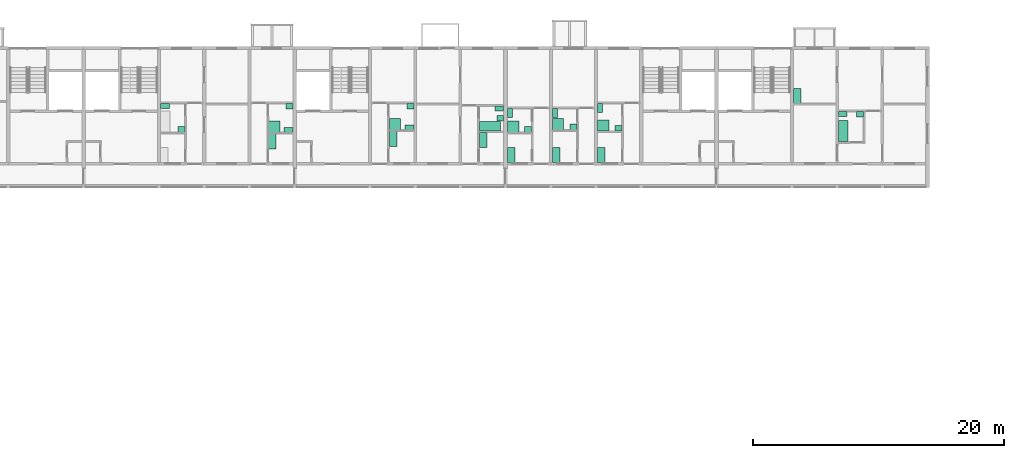
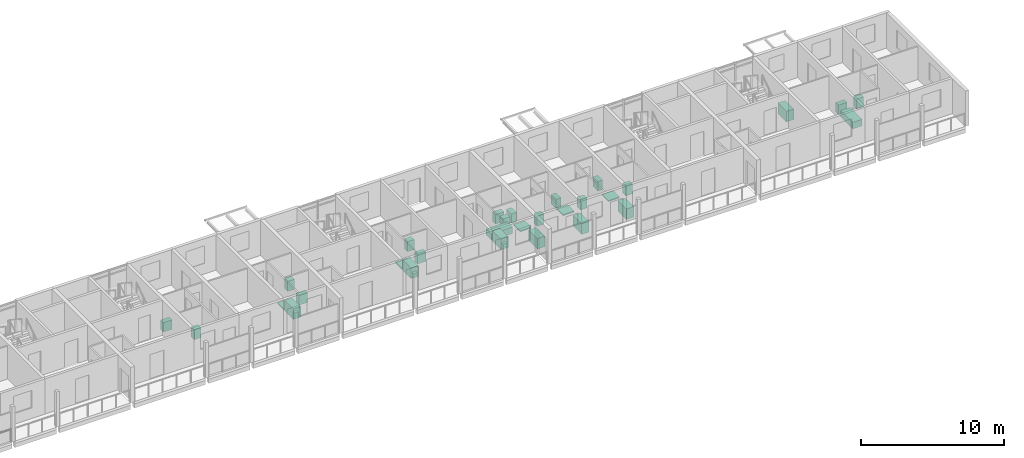
# One storey, part 115 of 115: 30 sanitary terminals.
"""IFC4 building model written with IfcOpenShell, lengths in metres."""

from ifc_helpers import new_model, si_unit, direction, frame, origin, origin_2d, place, context, subcontext, project, spatial, rectangle, extrude, element, save


model = new_model("IFC4")

# Units and contexts
model_context = context("Model", 3, precision=1e-05, world=origin(), true_north=direction((0.0, 1.0)))
body_context = subcontext(model_context, "Body", "Model", "MODEL_VIEW")
ifc_project = project(units=[si_unit("LENGTHUNIT", "METRE"), si_unit("AREAUNIT", "SQUARE_METRE"), si_unit("VOLUMEUNIT", "CUBIC_METRE"), si_unit("PLANEANGLEUNIT", "RADIAN"), si_unit("MASSUNIT", "GRAM", prefix="KILO")], contexts=[model_context])

# Site, building, storey
site_placement = place(None, origin())
site = spatial("IfcSite", under=ifc_project, at=site_placement, CompositionType="ELEMENT")
building_placement = place(site_placement, origin())
building = spatial("IfcBuilding", under=site, at=building_placement, Name="Ridgestep Commons", CompositionType="ELEMENT")
storey_placement = place(building_placement, frame((0.0, 0.0, 6.0)))
storey = spatial("IfcBuildingStorey", under=building, at=storey_placement, Name="L02", CompositionType="ELEMENT", Elevation=6.0)

# Sanitary terminals
sanitary_terminal_1_placement = place(storey_placement, frame((195.5849609375, 70.860107421875, 0.0), z_axis=(0.0, 0.0, 1.0), x_axis=(1.0, 0.0, 0.0)))
element("IfcSanitaryTerminal", 1, at=sanitary_terminal_1_placement, inside=storey, Name="Shower tray C3-02a", PredefinedType="SHOWER", context=body_context, shape_type="SweptSolid", body=[
    extrude(rectangle(XDim=0.89990234375, YDim=0.89990234375, at=origin_2d()), origin(), (0.0, 0.0, 1.0), 0.10009765625),
])
sanitary_terminal_2_placement = place(storey_placement, frame((196.699951171875, 70.610107421875, 0.0), z_axis=(0.0, 0.0, 1.0), x_axis=(1.0, 0.0, 0.0)))
element("IfcSanitaryTerminal", 2, at=sanitary_terminal_2_placement, inside=storey, Name="WC C3-02a", PredefinedType="TOILETPAN", context=body_context, shape_type="SweptSolid", body=[
    extrude(rectangle(XDim=0.699951171875, YDim=0.39990234375, at=origin_2d()), origin(), (0.0, 0.0, 1.0), 0.800048828125),
])
sanitary_terminal_3_placement = place(storey_placement, frame((196.77490234375, 72.47509765625, 0.0), z_axis=(0.0, 0.0, 1.0), x_axis=(1.0, 0.0, 0.0)))
element("IfcSanitaryTerminal", 3, at=sanitary_terminal_3_placement, inside=storey, Name="Basin C3-02a", PredefinedType="WASHHANDBASIN", context=body_context, shape_type="SweptSolid", body=[
    extrude(rectangle(XDim=0.550048828125, YDim=0.449951171875, at=origin_2d()), origin(), (0.0, 0.0, 1.0), 0.85009765625),
])
sanitary_terminal_4_placement = place(storey_placement, frame((195.43505859375, 69.699951171875, 0.0), z_axis=(0.0, 0.0, 1.0), x_axis=(1.0, 0.0, 0.0)))
element("IfcSanitaryTerminal", 4, at=sanitary_terminal_4_placement, inside=storey, Name="Kitchen sink C3-02a", PredefinedType="SINK", context=body_context, shape_type="SweptSolid", body=[
    extrude(rectangle(XDim=0.60009765625, YDim=1.199951171875, at=origin_2d()), origin(), (0.0, 0.0, 1.0), 0.89990234375),
])
sanitary_terminal_5_placement = place(storey_placement, frame((186.875, 72.5, 0.0), z_axis=(0.0, 0.0, 1.0), x_axis=(1.0, 0.0, 0.0)))
element("IfcSanitaryTerminal", 5, at=sanitary_terminal_5_placement, inside=storey, Name="WC C3-02b", PredefinedType="TOILETPAN", context=body_context, shape_type="SweptSolid", body=[
    extrude(rectangle(XDim=0.699951171875, YDim=0.39990234375, at=origin_2d()), origin(), (0.0, 0.0, 1.0), 0.800048828125),
])
sanitary_terminal_6_placement = place(storey_placement, frame((188.18994140625, 70.635009765625, 0.0), z_axis=(0.0, 0.0, 1.0), x_axis=(1.0, 0.0, 0.0)))
element("IfcSanitaryTerminal", 6, at=sanitary_terminal_6_placement, inside=storey, Name="Basin C3-02b", PredefinedType="WASHHANDBASIN", context=body_context, shape_type="SweptSolid", body=[
    extrude(rectangle(XDim=0.550048828125, YDim=0.449951171875, at=origin_2d()), origin(), (0.0, 0.0, 1.0), 0.85009765625),
])
sanitary_terminal_7_placement = place(storey_placement, frame((212.760009765625, 70.885009765625, 0.0), z_axis=(0.0, 0.0, 1.0), x_axis=(1.0, 0.0, 0.0)))
element("IfcSanitaryTerminal", 7, at=sanitary_terminal_7_placement, inside=storey, Name="Bath C4-02a", PredefinedType="BATH", context=body_context, shape_type="SweptSolid", body=[
    extrude(rectangle(XDim=1.699951171875, YDim=0.75, at=origin_2d()), origin(), (0.0, 0.0, 1.0), 0.550048828125),
])
sanitary_terminal_8_placement = place(storey_placement, frame((213.5, 72.300048828125, 0.0), z_axis=(0.0, 0.0, 1.0), x_axis=(1.0, 0.0, 0.0)))
element("IfcSanitaryTerminal", 8, at=sanitary_terminal_8_placement, inside=storey, Name="WC C4-02a", PredefinedType="TOILETPAN", context=body_context, shape_type="SweptSolid", body=[
    extrude(rectangle(XDim=0.699951171875, YDim=0.39990234375, at=origin_2d()), origin(), (0.0, 0.0, 1.0), 0.800048828125),
])
sanitary_terminal_9_placement = place(storey_placement, frame((213.574951171875, 71.534912109375, 0.0), z_axis=(0.0, 0.0, 1.0), x_axis=(1.0, 0.0, 0.0)))
element("IfcSanitaryTerminal", 9, at=sanitary_terminal_9_placement, inside=storey, Name="Basin C4-02a", PredefinedType="WASHHANDBASIN", context=body_context, shape_type="SweptSolid", body=[
    extrude(rectangle(XDim=0.550048828125, YDim=0.449951171875, at=origin_2d()), origin(), (0.0, 0.0, 1.0), 0.85009765625),
])
sanitary_terminal_10_placement = place(storey_placement, frame((212.2099609375, 69.800048828125, 0.0), z_axis=(0.0, 0.0, 1.0), x_axis=(1.0, 0.0, 0.0)))
element("IfcSanitaryTerminal", 10, at=sanitary_terminal_10_placement, inside=storey, Name="Kitchen sink C4-02a", PredefinedType="SINK", context=body_context, shape_type="SweptSolid", body=[
    extrude(rectangle(XDim=0.60009765625, YDim=1.199951171875, at=origin_2d()), origin(), (0.0, 0.0, 1.0), 0.89990234375),
])
sanitary_terminal_11_placement = place(storey_placement, frame((205.18505859375, 71.06005859375, 0.0), z_axis=(0.0, 0.0, 1.0), x_axis=(1.0, 0.0, 0.0)))
element("IfcSanitaryTerminal", 11, at=sanitary_terminal_11_placement, inside=storey, Name="Shower tray C4-02b", PredefinedType="SHOWER", context=body_context, shape_type="SweptSolid", body=[
    extrude(rectangle(XDim=0.89990234375, YDim=0.89990234375, at=origin_2d()), origin(), (0.0, 0.0, 1.0), 0.10009765625),
])
sanitary_terminal_12_placement = place(storey_placement, frame((206.35009765625, 70.81005859375, 0.0), z_axis=(0.0, 0.0, 1.0), x_axis=(1.0, 0.0, 0.0)))
element("IfcSanitaryTerminal", 12, at=sanitary_terminal_12_placement, inside=storey, Name="WC C4-02b", PredefinedType="TOILETPAN", context=body_context, shape_type="SweptSolid", body=[
    extrude(rectangle(XDim=0.699951171875, YDim=0.39990234375, at=origin_2d()), origin(), (0.0, 0.0, 1.0), 0.800048828125),
])
sanitary_terminal_13_placement = place(storey_placement, frame((206.425048828125, 72.47509765625, 0.0), z_axis=(0.0, 0.0, 1.0), x_axis=(1.0, 0.0, 0.0)))
element("IfcSanitaryTerminal", 13, at=sanitary_terminal_13_placement, inside=storey, Name="Basin C4-02b", PredefinedType="WASHHANDBASIN", context=body_context, shape_type="SweptSolid", body=[
    extrude(rectangle(XDim=0.550048828125, YDim=0.449951171875, at=origin_2d()), origin(), (0.0, 0.0, 1.0), 0.85009765625),
])
sanitary_terminal_14_placement = place(storey_placement, frame((205.034912109375, 69.89990234375, 0.0), z_axis=(0.0, 0.0, 1.0), x_axis=(1.0, 0.0, 0.0)))
element("IfcSanitaryTerminal", 14, at=sanitary_terminal_14_placement, inside=storey, Name="Kitchen sink C4-02b", PredefinedType="SINK", context=body_context, shape_type="SweptSolid", body=[
    extrude(rectangle(XDim=0.60009765625, YDim=1.199951171875, at=origin_2d()), origin(), (0.0, 0.0, 1.0), 0.89990234375),
])
sanitary_terminal_15_placement = place(storey_placement, frame((214.60009765625, 70.860107421875, 0.0), z_axis=(0.0, 0.0, 1.0), x_axis=(1.0, 0.0, 0.0)))
element("IfcSanitaryTerminal", 15, at=sanitary_terminal_15_placement, inside=storey, Name="Shower tray C5-02a", PredefinedType="SHOWER", context=body_context, shape_type="SweptSolid", body=[
    extrude(rectangle(XDim=0.89990234375, YDim=0.89990234375, at=origin_2d()), origin(), (0.0, 0.0, 1.0), 0.10009765625),
])
sanitary_terminal_16_placement = place(storey_placement, frame((214.35009765625, 71.949951171875, 0.0), z_axis=(0.0, 0.0, 1.0), x_axis=(1.0, 0.0, 0.0)))
element("IfcSanitaryTerminal", 16, at=sanitary_terminal_16_placement, inside=storey, Name="WC C5-02a", PredefinedType="TOILETPAN", context=body_context, shape_type="SweptSolid", body=[
    extrude(rectangle(XDim=0.39990234375, YDim=0.699951171875, at=origin_2d()), origin(), (0.0, 0.0, 1.0), 0.800048828125),
])
sanitary_terminal_17_placement = place(storey_placement, frame((215.7900390625, 70.635009765625, 0.0), z_axis=(0.0, 0.0, 1.0), x_axis=(1.0, 0.0, 0.0)))
element("IfcSanitaryTerminal", 17, at=sanitary_terminal_17_placement, inside=storey, Name="Basin C5-02a", PredefinedType="WASHHANDBASIN", context=body_context, shape_type="SweptSolid", body=[
    extrude(rectangle(XDim=0.550048828125, YDim=0.449951171875, at=origin_2d()), origin(), (0.0, 0.0, 1.0), 0.85009765625),
])
sanitary_terminal_18_placement = place(storey_placement, frame((214.449951171875, 68.60009765625, 0.0), z_axis=(0.0, 0.0, 1.0), x_axis=(1.0, 0.0, 0.0)))
element("IfcSanitaryTerminal", 18, at=sanitary_terminal_18_placement, inside=storey, Name="Kitchen sink C5-02a", PredefinedType="SINK", context=body_context, shape_type="SweptSolid", body=[
    extrude(rectangle(XDim=0.60009765625, YDim=1.199951171875, at=origin_2d()), origin(), (0.0, 0.0, 1.0), 0.89990234375),
])
sanitary_terminal_19_placement = place(storey_placement, frame((218.175048828125, 71.06005859375, 0.0), z_axis=(0.0, 0.0, 1.0), x_axis=(1.0, 0.0, 0.0)))
element("IfcSanitaryTerminal", 19, at=sanitary_terminal_19_placement, inside=storey, Name="Shower tray C5-02b", PredefinedType="SHOWER", context=body_context, shape_type="SweptSolid", body=[
    extrude(rectangle(XDim=0.89990234375, YDim=0.89990234375, at=origin_2d()), origin(), (0.0, 0.0, 1.0), 0.10009765625),
])
sanitary_terminal_20_placement = place(storey_placement, frame((217.925048828125, 71.949951171875, 0.0), z_axis=(0.0, 0.0, 1.0), x_axis=(1.0, 0.0, 0.0)))
element("IfcSanitaryTerminal", 20, at=sanitary_terminal_20_placement, inside=storey, Name="WC C5-02b", PredefinedType="TOILETPAN", context=body_context, shape_type="SweptSolid", body=[
    extrude(rectangle(XDim=0.39990234375, YDim=0.699951171875, at=origin_2d()), origin(), (0.0, 0.0, 1.0), 0.800048828125),
])
sanitary_terminal_21_placement = place(storey_placement, frame((219.389892578125, 70.8349609375, 0.0), z_axis=(0.0, 0.0, 1.0), x_axis=(1.0, 0.0, 0.0)))
element("IfcSanitaryTerminal", 21, at=sanitary_terminal_21_placement, inside=storey, Name="Basin C5-02b", PredefinedType="WASHHANDBASIN", context=body_context, shape_type="SweptSolid", body=[
    extrude(rectangle(XDim=0.550048828125, YDim=0.449951171875, at=origin_2d()), origin(), (0.0, 0.0, 1.0), 0.85009765625),
])
sanitary_terminal_22_placement = place(storey_placement, frame((218.02490234375, 68.60009765625, 0.0), z_axis=(0.0, 0.0, 1.0), x_axis=(1.0, 0.0, 0.0)))
element("IfcSanitaryTerminal", 22, at=sanitary_terminal_22_placement, inside=storey, Name="Kitchen sink C5-02b", PredefinedType="SINK", context=body_context, shape_type="SweptSolid", body=[
    extrude(rectangle(XDim=0.60009765625, YDim=1.199951171875, at=origin_2d()), origin(), (0.0, 0.0, 1.0), 0.89990234375),
])
sanitary_terminal_23_placement = place(storey_placement, frame((221.77490234375, 70.9599609375, 0.0), z_axis=(0.0, 0.0, 1.0), x_axis=(1.0, 0.0, 0.0)))
element("IfcSanitaryTerminal", 23, at=sanitary_terminal_23_placement, inside=storey, Name="Shower tray C5-02c", PredefinedType="SHOWER", context=body_context, shape_type="SweptSolid", body=[
    extrude(rectangle(XDim=0.89990234375, YDim=0.89990234375, at=origin_2d()), origin(), (0.0, 0.0, 1.0), 0.10009765625),
])
sanitary_terminal_24_placement = place(storey_placement, frame((221.52490234375, 72.35009765625, 0.0), z_axis=(0.0, 0.0, 1.0), x_axis=(1.0, 0.0, 0.0)))
element("IfcSanitaryTerminal", 24, at=sanitary_terminal_24_placement, inside=storey, Name="WC C5-02c", PredefinedType="TOILETPAN", context=body_context, shape_type="SweptSolid", body=[
    extrude(rectangle(XDim=0.39990234375, YDim=0.699951171875, at=origin_2d()), origin(), (0.0, 0.0, 1.0), 0.800048828125),
])
sanitary_terminal_25_placement = place(storey_placement, frame((222.989990234375, 70.735107421875, 0.0), z_axis=(0.0, 0.0, 1.0), x_axis=(1.0, 0.0, 0.0)))
element("IfcSanitaryTerminal", 25, at=sanitary_terminal_25_placement, inside=storey, Name="Basin C5-02c", PredefinedType="WASHHANDBASIN", context=body_context, shape_type="SweptSolid", body=[
    extrude(rectangle(XDim=0.550048828125, YDim=0.449951171875, at=origin_2d()), origin(), (0.0, 0.0, 1.0), 0.85009765625),
])
sanitary_terminal_26_placement = place(storey_placement, frame((221.625, 68.60009765625, 0.0), z_axis=(0.0, 0.0, 1.0), x_axis=(1.0, 0.0, 0.0)))
element("IfcSanitaryTerminal", 26, at=sanitary_terminal_26_placement, inside=storey, Name="Kitchen sink C5-02c", PredefinedType="SINK", context=body_context, shape_type="SweptSolid", body=[
    extrude(rectangle(XDim=0.60009765625, YDim=1.199951171875, at=origin_2d()), origin(), (0.0, 0.0, 1.0), 0.89990234375),
])
sanitary_terminal_27_placement = place(storey_placement, frame((240.875, 70.510009765625, 0.0), z_axis=(0.0, 0.0, 1.0), x_axis=(1.0, 0.0, 0.0)))
element("IfcSanitaryTerminal", 27, at=sanitary_terminal_27_placement, inside=storey, Name="Bath C6-02a", PredefinedType="BATH", context=body_context, shape_type="SweptSolid", body=[
    extrude(rectangle(XDim=0.75, YDim=1.699951171875, at=origin_2d()), origin(), (0.0, 0.0, 1.0), 0.550048828125),
])
sanitary_terminal_28_placement = place(storey_placement, frame((240.85009765625, 71.860107421875, 0.0), z_axis=(0.0, 0.0, 1.0), x_axis=(1.0, 0.0, 0.0)))
element("IfcSanitaryTerminal", 28, at=sanitary_terminal_28_placement, inside=storey, Name="WC C6-02a", PredefinedType="TOILETPAN", context=body_context, shape_type="SweptSolid", body=[
    extrude(rectangle(XDim=0.699951171875, YDim=0.39990234375, at=origin_2d()), origin(), (0.0, 0.0, 1.0), 0.800048828125),
])
sanitary_terminal_29_placement = place(storey_placement, frame((242.215087890625, 71.8349609375, 0.0), z_axis=(0.0, 0.0, 1.0), x_axis=(1.0, 0.0, 0.0)))
element("IfcSanitaryTerminal", 29, at=sanitary_terminal_29_placement, inside=storey, Name="Basin C6-02a", PredefinedType="WASHHANDBASIN", context=body_context, shape_type="SweptSolid", body=[
    extrude(rectangle(XDim=0.550048828125, YDim=0.449951171875, at=origin_2d()), origin(), (0.0, 0.0, 1.0), 0.85009765625),
])
sanitary_terminal_30_placement = place(storey_placement, frame((237.22509765625, 73.31005859375, 0.0), z_axis=(0.0, 0.0, 1.0), x_axis=(1.0, 0.0, 0.0)))
element("IfcSanitaryTerminal", 30, at=sanitary_terminal_30_placement, inside=storey, Name="Kitchen sink C6-02a", PredefinedType="SINK", context=body_context, shape_type="SweptSolid", body=[
    extrude(rectangle(XDim=0.60009765625, YDim=1.199951171875, at=origin_2d()), origin(), (0.0, 0.0, 1.0), 0.89990234375),
])

save(model, "model.ifc")
